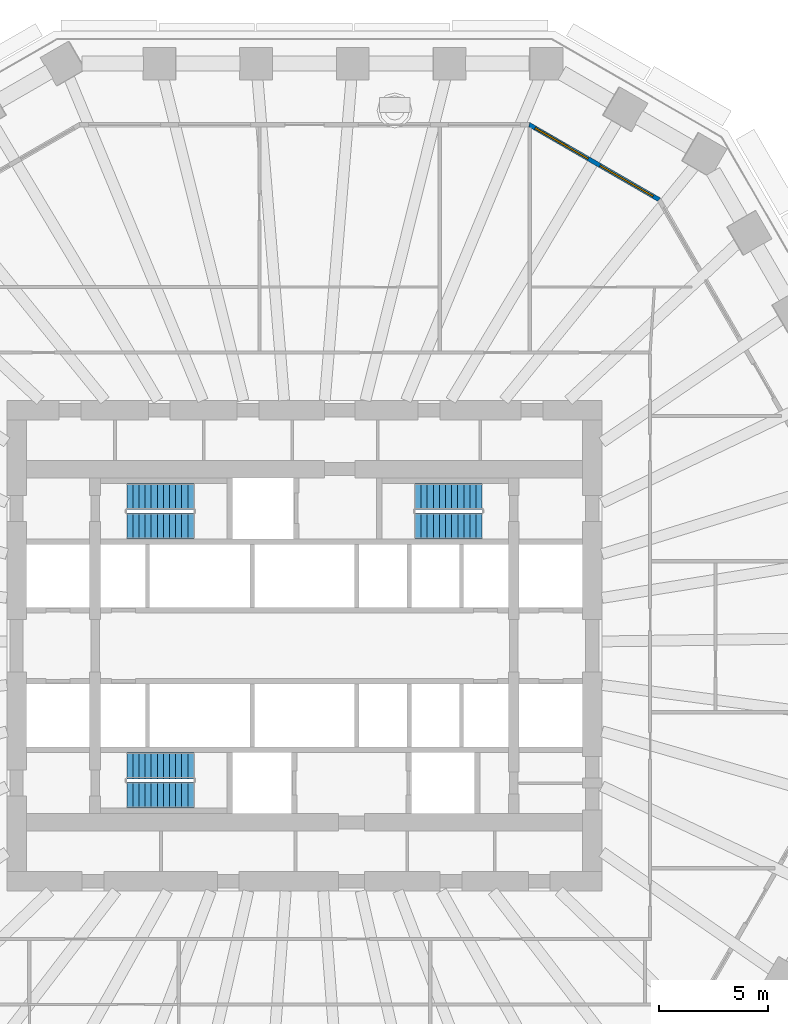
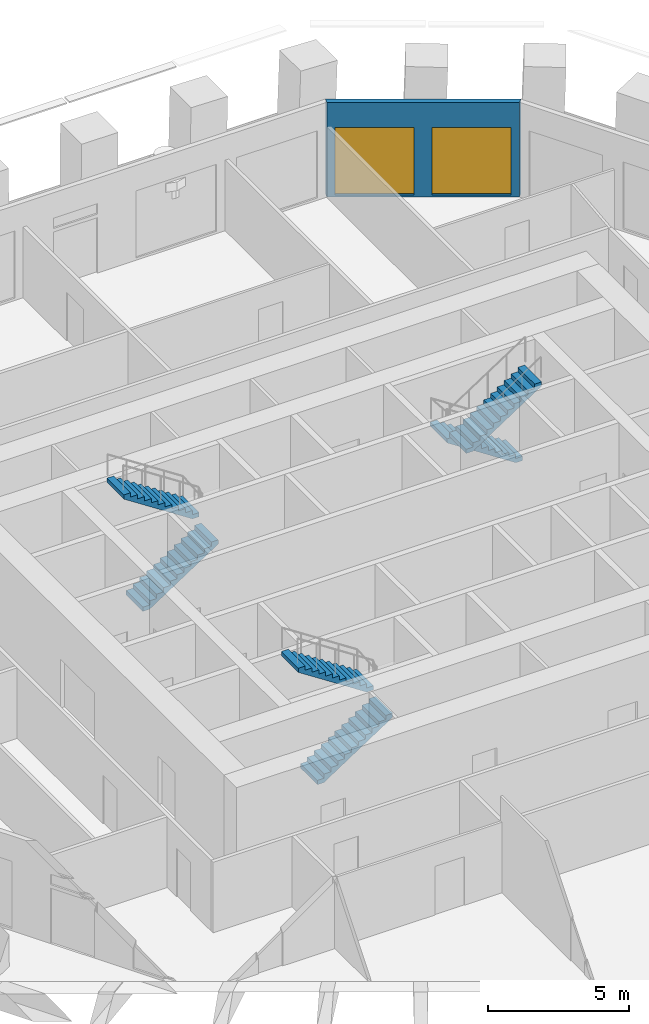
# One storey, part 9 of 13: 6 stair flights, 2 windows, 1 wall, 2 openings, 3 elements without a shape of their own.
"""IFC4 building model written with IfcOpenShell, lengths in metres."""

from ifc_helpers import new_model, si_unit, direction, frame, frame_2d, origin, place, context, subcontext, project, spatial, polyline, rectangle, outline, extrude, material, layer, layer_set, type_object, element, fill, aggregate, save


model = new_model("IFC4")

# Units and contexts
model_context = context("Model", 3, precision=1e-05, world=origin(), true_north=direction((0.0, 1.0)))
body_context = subcontext(model_context, "Body", "Model", "MODEL_VIEW")
ifc_project = project(units=[si_unit("LENGTHUNIT", "METRE"), si_unit("AREAUNIT", "SQUARE_METRE"), si_unit("VOLUMEUNIT", "CUBIC_METRE"), si_unit("PLANEANGLEUNIT", "RADIAN"), si_unit("MASSUNIT", "GRAM", prefix="KILO")], contexts=[model_context])

# Site, building, storey
site_placement = place(None, origin())
site = spatial("IfcSite", under=ifc_project, at=site_placement, CompositionType="ELEMENT")
building_placement = place(site_placement, origin())
building = spatial("IfcBuilding", under=site, at=building_placement, Name="Frailejon Research Tower", CompositionType="ELEMENT")
storey_placement = place(building_placement, frame((0.0, 0.0, 27.800048828125)))
storey = spatial("IfcBuildingStorey", under=building, at=storey_placement, Name="L06", CompositionType="ELEMENT", Elevation=27.800048828125)

# Wall, openings, windows
ifc_material_1 = material(Name="Concrete C40/50 precast window wall panel", Category="concrete")
ifc_layer_1 = layer(ifc_material_1, 0.199951171875)
ifc_layer_set_1 = layer_set([ifc_layer_1], Name="Window wall 200")
wall_type = type_object("IfcWallType", Name="Window wall 200", PredefinedType="SOLIDWALL", material=ifc_layer_set_1)
wall_placement = place(storey_placement, frame((16.26220703125, 20.462646484375, 0.0), z_axis=(0.0, 0.0, 1.0), x_axis=(-0.866029458321, 0.49999297727, 0.0)))
wall = element("IfcWall", 1, at=wall_placement, inside=storey, type_object=wall_type, Name="Exterior wall L06", PredefinedType="SOLIDWALL", context=body_context, shape_type="SweptSolid", body=[
    extrude(outline(polyline([(-0.02685546875, -0.10009765625), (1.1279296875, -0.10009765625), (2.282470703125, -0.10009765625), (3.437255859375, -0.10009765625), (4.592041015625, -0.10009765625), (5.74658203125, -0.10009765625), (6.9013671875, -0.10009765625), (6.84765625, 0.10009765625), (5.7109375, 0.10009765625), (4.573974609375, 0.10009765625), (3.437255859375, 0.10009765625), (2.300537109375, 0.10009765625), (1.16357421875, 0.10009765625), (0.02685546875, 0.10009765625), (-0.02685546875, -0.10009765625)])), origin(), (0.0, 0.0, 1.0), 4.099853515625),
])
opening_1_placement = place(wall_placement, frame((0.318603515625, 0.0, 0.10009765625)))
opening_1 = element("IfcOpeningElement", 2, at=opening_1_placement, cuts=wall, Name="Opening W3", PredefinedType="OPENING", context=body_context, shape_type="SweptSolid", body=[
    extrude(rectangle(XDim=2.800048828125, YDim=2.89990234375, at=frame_2d((1.39990234375, 1.449951171875))), frame((0.0, 0.10986328125, 0.0), z_axis=(0.0, -1.0, 0.0), x_axis=(1.0, 0.0, 0.0)), (0.0, 0.0, 1.0), 0.219970703125),
])
opening_2_placement = place(wall_placement, frame((3.756103515625, 0.0, 0.10009765625)))
opening_2 = element("IfcOpeningElement", 3, at=opening_2_placement, cuts=wall, Name="Opening W3", PredefinedType="OPENING", context=body_context, shape_type="SweptSolid", body=[
    extrude(rectangle(XDim=2.800048828125, YDim=2.89990234375, at=frame_2d((1.39990234375, 1.449951171875))), frame((0.0, 0.10986328125, 0.0), z_axis=(0.0, -1.0, 0.0), x_axis=(1.0, 0.0, 0.0)), (0.0, 0.0, 1.0), 0.219970703125),
])
ifc_material_2 = material(Name="Aluminium framed double glazing", Category="aluminium")
window_type = type_object("IfcWindowType", Name="Window 2800x2900", PartitioningType="SINGLE_PANEL", PredefinedType="WINDOW", material=ifc_material_2)
window_1_placement = place(opening_1_placement, origin())
window_1 = element("IfcWindow", 4, at=window_1_placement, inside=storey, type_object=window_type, Name="Window L06", OverallHeight=2.89990234375, OverallWidth=2.800048828125, PartitioningType="SINGLE_PANEL", PredefinedType="WINDOW", context=body_context, shape_type="SweptSolid", body=[
    extrude(rectangle(XDim=2.800048828125, YDim=2.89990234375, at=frame_2d((1.39990234375, 1.449951171875))), frame((0.0, 0.030029296875, 0.0), z_axis=(0.0, -1.0, 0.0), x_axis=(1.0, 0.0, 0.0)), (0.0, 0.0, 1.0), 0.06005859375),
])
fill(opening_1, window_1)
window_2_placement = place(opening_2_placement, origin())
window_2 = element("IfcWindow", 5, at=window_2_placement, inside=storey, type_object=window_type, Name="Window L06", OverallHeight=2.89990234375, OverallWidth=2.800048828125, PartitioningType="SINGLE_PANEL", PredefinedType="WINDOW", context=body_context, shape_type="SweptSolid", body=[
    extrude(rectangle(XDim=2.800048828125, YDim=2.89990234375, at=frame_2d((1.39990234375, 1.449951171875))), frame((0.0, 0.030029296875, 0.0), z_axis=(0.0, -1.0, 0.0), x_axis=(1.0, 0.0, 0.0)), (0.0, 0.0, 1.0), 0.06005859375),
])
fill(opening_2, window_2)

# Stair, stair flights
ifc_material_3 = material(Name="Concrete C50/60", Category="concrete")
stair_type = type_object("IfcStairType", Name="Exit stair 24 risers", PredefinedType="HALF_TURN_STAIR", material=ifc_material_3)
stair_1_placement = place(storey_placement, origin())
stair_1 = element("IfcStair", 6, at=stair_1_placement, inside=storey, type_object=stair_type, Name="L06 Exit stair ST1", PredefinedType="HALF_TURN_STAIR")
ifc_material_4 = material(Name="Concrete C50/60", Category="concrete")
ifc_layer_2 = layer(ifc_material_4, 0.14990234375)
ifc_layer_set_2 = layer_set([ifc_layer_2], Name="Stair flight 12 risers")
stair_flight_type = type_object("IfcStairFlightType", Name="Stair flight 12 risers", PredefinedType="STRAIGHT", material=ifc_layer_set_2)
stair_flight_1_placement = place(storey_placement, frame((-8.14990234375, 5.5, 0.0), z_axis=(0.0, 0.0, 1.0), x_axis=(1.0, 0.0, 0.0)))
stair_flight_1 = element("IfcStairFlight", 7, at=stair_flight_1_placement, type_object=stair_flight_type, Name="ST1 flight 1", NumberOfRisers=12, NumberOfTreads=11, PredefinedType="STRAIGHT", RiserHeight=0.183333333, TreadLength=0.28, context=body_context, shape_type="SweptSolid", body=[
    extrude(outline(polyline([(0.0, 0.0), (0.0, 0.183349609375), (0.280029296875, 0.183349609375), (0.280029296875, 0.36669921875), (0.56005859375, 0.36669921875), (0.56005859375, 0.550048828125), (0.840087890625, 0.550048828125), (0.840087890625, 0.7333984375), (1.1201171875, 0.7333984375), (1.1201171875, 0.916748046875), (1.39990234375, 0.916748046875), (1.39990234375, 1.10009765625), (1.679931640625, 1.10009765625), (1.679931640625, 1.283447265625), (1.9599609375, 1.283447265625), (1.9599609375, 1.466552734375), (2.239990234375, 1.466552734375), (2.239990234375, 1.64990234375), (2.52001953125, 1.64990234375), (2.52001953125, 1.833251953125), (2.800048828125, 1.833251953125), (2.800048828125, 2.0166015625), (3.080078125, 2.0166015625), (3.080078125, 2.199951171875), (3.080078125, 1.83740234375), (0.273681640625, 0.0), (0.0, 0.0)])), frame((0.0, 0.60009765625, 0.0), z_axis=(0.0, -1.0, 0.0), x_axis=(1.0, 0.0, 0.0)), (0.0, 0.0, 1.0), 1.199951171875),
])
stair_flight_2_placement = place(storey_placement, frame((-5.070068359375, 6.85009765625, 2.199951171875), z_axis=(0.0, 0.0, 1.0), x_axis=(-1.0, 0.0, 0.0)))
stair_flight_2 = element("IfcStairFlight", 8, at=stair_flight_2_placement, type_object=stair_flight_type, Name="ST1 flight 2", NumberOfRisers=12, NumberOfTreads=11, PredefinedType="STRAIGHT", RiserHeight=0.183333333, TreadLength=0.28, context=body_context, shape_type="SweptSolid", body=[
    extrude(outline(polyline([(0.0, 0.0), (0.0, 0.183349609375), (0.280029296875, 0.183349609375), (0.280029296875, 0.36669921875), (0.56005859375, 0.36669921875), (0.56005859375, 0.550048828125), (0.840087890625, 0.550048828125), (0.840087890625, 0.7333984375), (1.1201171875, 0.7333984375), (1.1201171875, 0.916748046875), (1.39990234375, 0.916748046875), (1.39990234375, 1.10009765625), (1.679931640625, 1.10009765625), (1.679931640625, 1.283447265625), (1.9599609375, 1.283447265625), (1.9599609375, 1.466552734375), (2.239990234375, 1.466552734375), (2.239990234375, 1.64990234375), (2.52001953125, 1.64990234375), (2.52001953125, 1.833251953125), (2.800048828125, 1.833251953125), (2.800048828125, 2.0166015625), (3.080078125, 2.0166015625), (3.080078125, 2.199951171875), (3.080078125, 1.83740234375), (0.273681640625, 0.0), (0.0, 0.0)])), frame((0.0, 0.60009765625, 0.0), z_axis=(0.0, -1.0, 0.0), x_axis=(1.0, 0.0, 0.0)), (0.0, 0.0, 1.0), 1.199951171875),
])
aggregate(stair_1, [stair_flight_1, stair_flight_2])

stair_2_placement = place(storey_placement, origin())
stair_2 = element("IfcStair", 9, at=stair_2_placement, inside=storey, type_object=stair_type, Name="L06 Exit stair ST2", PredefinedType="HALF_TURN_STAIR")
stair_flight_3_placement = place(storey_placement, frame((-8.14990234375, -6.85009765625, 0.0), z_axis=(0.0, 0.0, 1.0), x_axis=(1.0, 0.0, 0.0)))
stair_flight_3 = element("IfcStairFlight", 10, at=stair_flight_3_placement, type_object=stair_flight_type, Name="ST2 flight 1", NumberOfRisers=12, NumberOfTreads=11, PredefinedType="STRAIGHT", RiserHeight=0.183333333, TreadLength=0.28, context=body_context, shape_type="SweptSolid", body=[
    extrude(outline(polyline([(0.0, 0.0), (0.0, 0.183349609375), (0.280029296875, 0.183349609375), (0.280029296875, 0.36669921875), (0.56005859375, 0.36669921875), (0.56005859375, 0.550048828125), (0.840087890625, 0.550048828125), (0.840087890625, 0.7333984375), (1.1201171875, 0.7333984375), (1.1201171875, 0.916748046875), (1.39990234375, 0.916748046875), (1.39990234375, 1.10009765625), (1.679931640625, 1.10009765625), (1.679931640625, 1.283447265625), (1.9599609375, 1.283447265625), (1.9599609375, 1.466552734375), (2.239990234375, 1.466552734375), (2.239990234375, 1.64990234375), (2.52001953125, 1.64990234375), (2.52001953125, 1.833251953125), (2.800048828125, 1.833251953125), (2.800048828125, 2.0166015625), (3.080078125, 2.0166015625), (3.080078125, 2.199951171875), (3.080078125, 1.83740234375), (0.273681640625, 0.0), (0.0, 0.0)])), frame((0.0, 0.60009765625, 0.0), z_axis=(0.0, -1.0, 0.0), x_axis=(1.0, 0.0, 0.0)), (0.0, 0.0, 1.0), 1.199951171875),
])
stair_flight_4_placement = place(storey_placement, frame((-5.070068359375, -5.5, 2.199951171875), z_axis=(0.0, 0.0, 1.0), x_axis=(-1.0, 0.0, 0.0)))
stair_flight_4 = element("IfcStairFlight", 11, at=stair_flight_4_placement, type_object=stair_flight_type, Name="ST2 flight 2", NumberOfRisers=12, NumberOfTreads=11, PredefinedType="STRAIGHT", RiserHeight=0.183333333, TreadLength=0.28, context=body_context, shape_type="SweptSolid", body=[
    extrude(outline(polyline([(0.0, 0.0), (0.0, 0.183349609375), (0.280029296875, 0.183349609375), (0.280029296875, 0.36669921875), (0.56005859375, 0.36669921875), (0.56005859375, 0.550048828125), (0.840087890625, 0.550048828125), (0.840087890625, 0.7333984375), (1.1201171875, 0.7333984375), (1.1201171875, 0.916748046875), (1.39990234375, 0.916748046875), (1.39990234375, 1.10009765625), (1.679931640625, 1.10009765625), (1.679931640625, 1.283447265625), (1.9599609375, 1.283447265625), (1.9599609375, 1.466552734375), (2.239990234375, 1.466552734375), (2.239990234375, 1.64990234375), (2.52001953125, 1.64990234375), (2.52001953125, 1.833251953125), (2.800048828125, 1.833251953125), (2.800048828125, 2.0166015625), (3.080078125, 2.0166015625), (3.080078125, 2.199951171875), (3.080078125, 1.83740234375), (0.273681640625, 0.0), (0.0, 0.0)])), frame((0.0, 0.60009765625, 0.0), z_axis=(0.0, -1.0, 0.0), x_axis=(1.0, 0.0, 0.0)), (0.0, 0.0, 1.0), 1.199951171875),
])
aggregate(stair_2, [stair_flight_3, stair_flight_4])

stair_3_placement = place(storey_placement, origin())
stair_3 = element("IfcStair", 12, at=stair_3_placement, inside=storey, type_object=stair_type, Name="L06 Exit stair ST3", PredefinedType="HALF_TURN_STAIR")
stair_flight_5_placement = place(storey_placement, frame((8.14990234375, 6.85009765625, 0.0), z_axis=(0.0, 0.0, 1.0), x_axis=(-1.0, 0.0, 0.0)))
stair_flight_5 = element("IfcStairFlight", 13, at=stair_flight_5_placement, type_object=stair_flight_type, Name="ST3 flight 1", NumberOfRisers=12, NumberOfTreads=11, PredefinedType="STRAIGHT", RiserHeight=0.183333333, TreadLength=0.28, context=body_context, shape_type="SweptSolid", body=[
    extrude(outline(polyline([(0.0, 0.0), (0.0, 0.183349609375), (0.280029296875, 0.183349609375), (0.280029296875, 0.36669921875), (0.56005859375, 0.36669921875), (0.56005859375, 0.550048828125), (0.840087890625, 0.550048828125), (0.840087890625, 0.7333984375), (1.1201171875, 0.7333984375), (1.1201171875, 0.916748046875), (1.39990234375, 0.916748046875), (1.39990234375, 1.10009765625), (1.679931640625, 1.10009765625), (1.679931640625, 1.283447265625), (1.9599609375, 1.283447265625), (1.9599609375, 1.466552734375), (2.239990234375, 1.466552734375), (2.239990234375, 1.64990234375), (2.52001953125, 1.64990234375), (2.52001953125, 1.833251953125), (2.800048828125, 1.833251953125), (2.800048828125, 2.0166015625), (3.080078125, 2.0166015625), (3.080078125, 2.199951171875), (3.080078125, 1.83740234375), (0.273681640625, 0.0), (0.0, 0.0)])), frame((0.0, 0.60009765625, 0.0), z_axis=(0.0, -1.0, 0.0), x_axis=(1.0, 0.0, 0.0)), (0.0, 0.0, 1.0), 1.199951171875),
])
stair_flight_6_placement = place(storey_placement, frame((5.070068359375, 5.5, 2.199951171875), z_axis=(0.0, 0.0, 1.0), x_axis=(1.0, 0.0, 0.0)))
stair_flight_6 = element("IfcStairFlight", 14, at=stair_flight_6_placement, type_object=stair_flight_type, Name="ST3 flight 2", NumberOfRisers=12, NumberOfTreads=11, PredefinedType="STRAIGHT", RiserHeight=0.183333333, TreadLength=0.28, context=body_context, shape_type="SweptSolid", body=[
    extrude(outline(polyline([(0.0, 0.0), (0.0, 0.183349609375), (0.280029296875, 0.183349609375), (0.280029296875, 0.36669921875), (0.56005859375, 0.36669921875), (0.56005859375, 0.550048828125), (0.840087890625, 0.550048828125), (0.840087890625, 0.7333984375), (1.1201171875, 0.7333984375), (1.1201171875, 0.916748046875), (1.39990234375, 0.916748046875), (1.39990234375, 1.10009765625), (1.679931640625, 1.10009765625), (1.679931640625, 1.283447265625), (1.9599609375, 1.283447265625), (1.9599609375, 1.466552734375), (2.239990234375, 1.466552734375), (2.239990234375, 1.64990234375), (2.52001953125, 1.64990234375), (2.52001953125, 1.833251953125), (2.800048828125, 1.833251953125), (2.800048828125, 2.0166015625), (3.080078125, 2.0166015625), (3.080078125, 2.199951171875), (3.080078125, 1.83740234375), (0.273681640625, 0.0), (0.0, 0.0)])), frame((0.0, 0.60009765625, 0.0), z_axis=(0.0, -1.0, 0.0), x_axis=(1.0, 0.0, 0.0)), (0.0, 0.0, 1.0), 1.199951171875),
])
aggregate(stair_3, [stair_flight_5, stair_flight_6])

save(model, "model.ifc")
